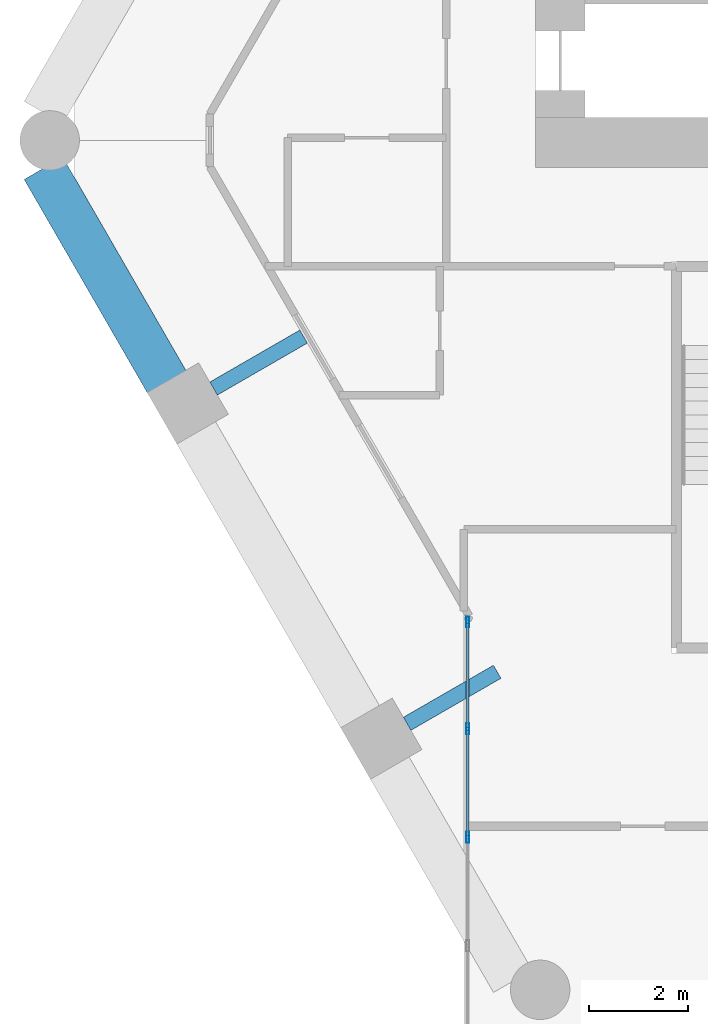
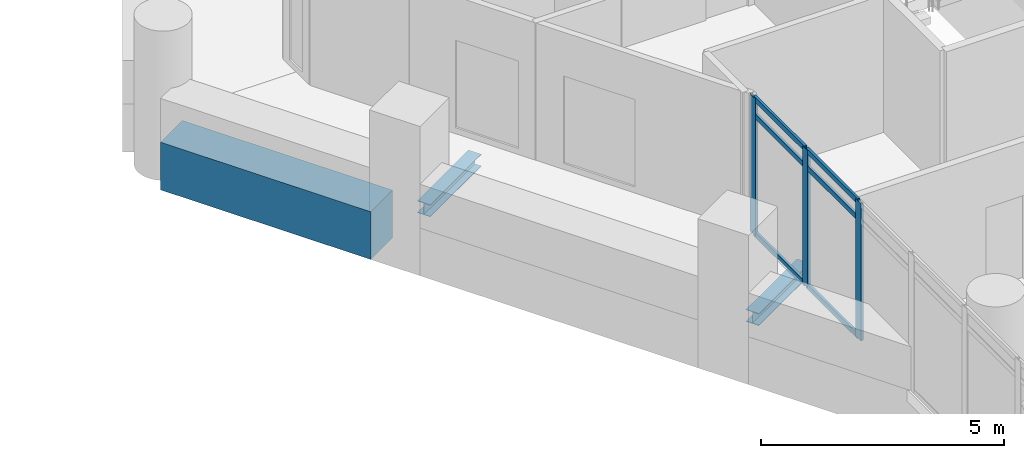
# One storey, part 9 of 28: 9 members, 3 beams, 1 element without a shape of its own.
"""IFC4 building model written with IfcOpenShell, lengths in metres."""

from ifc_helpers import new_model, si_unit, direction, frame, origin, origin_2d, place, context, subcontext, project, spatial, rectangle, hollow_rectangle, i_section, extrude, material, material_profile, profile_set, type_object, element, aggregate, save


model = new_model("IFC4")

# Units and contexts
model_context = context("Model", 3, precision=1e-05, world=origin(), true_north=direction((0.0, 1.0)))
body_context = subcontext(model_context, "Body", "Model", "MODEL_VIEW")
ifc_project = project(units=[si_unit("LENGTHUNIT", "METRE"), si_unit("AREAUNIT", "SQUARE_METRE"), si_unit("VOLUMEUNIT", "CUBIC_METRE"), si_unit("PLANEANGLEUNIT", "RADIAN"), si_unit("MASSUNIT", "GRAM", prefix="KILO")], contexts=[model_context])

# Site, building, storey
site_placement = place(None, origin())
site = spatial("IfcSite", under=ifc_project, at=site_placement, CompositionType="ELEMENT")
building_placement = place(site_placement, origin())
building = spatial("IfcBuilding", under=site, at=building_placement, Name="Ostrander Bayou Hotel Tower", CompositionType="ELEMENT")
storey_placement = place(building_placement, frame((0.0, 0.0, 142.25)))
storey = spatial("IfcBuildingStorey", under=building, at=storey_placement, Name="L35", CompositionType="ELEMENT", Elevation=142.25)

# Curtain wall, members
ifc_material_1 = material(Name="Aluminium and clear glass", Category="aluminium")
curtain_wall_type = type_object("IfcCurtainWallType", Name="CW-BAR glazed wall", PredefinedType="NOTDEFINED", material=ifc_material_1)
curtain_wall_placement = place(storey_placement, origin())
curtain_wall = element("IfcCurtainWall", 1, at=curtain_wall_placement, inside=storey, type_object=curtain_wall_type, Name="CW-BAR L35:SB3S:E", PredefinedType="NOTDEFINED")
ifc_material_2 = material(Name="Aluminium", Category="aluminium")
ifc_material_profile_1 = material_profile(ifc_material_2, hollow_rectangle(XDim=0.06005859375, YDim=0.219970703125, WallThickness=0.00390625, at=origin_2d()))
ifc_profile_set_1 = profile_set([ifc_material_profile_1], Name="Aluminium")
member_type_1 = type_object("IfcMemberType", Name="CW-BR mullion 60 x 220 mm", PredefinedType="MULLION", material=ifc_profile_set_1)
member_1_placement = place(storey_placement, frame((-13.3671875, -10.877197265625, 0.0), z_axis=(0.0, 0.0, 1.0), x_axis=(1.0, 0.0, 0.0)))
member_1 = element("IfcMember", 2, at=member_1_placement, type_object=member_type_1, Name="CW-BAR mullion 1", PredefinedType="MULLION", context=body_context, shape_type="SweptSolid", body=[
    extrude(hollow_rectangle(XDim=0.06005859375, YDim=0.219970703125, WallThickness=0.00390625, at=origin_2d()), origin(), (0.0, 0.0, 1.0), 3.449951171875),
])
member_2_placement = place(storey_placement, frame((-13.3671875, -13.03662109375, 0.0), z_axis=(0.0, 0.0, 1.0), x_axis=(1.0, 0.0, 0.0)))
member_2 = element("IfcMember", 3, at=member_2_placement, type_object=member_type_1, Name="CW-BAR mullion 2", PredefinedType="MULLION", context=body_context, shape_type="SweptSolid", body=[
    extrude(hollow_rectangle(XDim=0.06005859375, YDim=0.219970703125, WallThickness=0.00390625, at=origin_2d()), origin(), (0.0, 0.0, 1.0), 3.449951171875),
])
member_3_placement = place(storey_placement, frame((-13.3671875, -15.22607421875, 0.0), z_axis=(0.0, 0.0, 1.0), x_axis=(1.0, 0.0, 0.0)))
member_3 = element("IfcMember", 4, at=member_3_placement, type_object=member_type_1, Name="CW-BAR mullion 3", PredefinedType="MULLION", context=body_context, shape_type="SweptSolid", body=[
    extrude(hollow_rectangle(XDim=0.06005859375, YDim=0.219970703125, WallThickness=0.00390625, at=origin_2d()), origin(), (0.0, 0.0, 1.0), 3.449951171875),
])
ifc_material_3 = material(Name="Aluminium", Category="aluminium")
ifc_material_profile_2 = material_profile(ifc_material_3, hollow_rectangle(XDim=0.06005859375, YDim=0.1298828125, WallThickness=0.00390625, at=origin_2d()))
ifc_profile_set_2 = profile_set([ifc_material_profile_2], Name="Aluminium")
member_type_2 = type_object("IfcMemberType", Name="CW-BR transom 60 x 130 mm", PredefinedType="USERDEFINED", material=ifc_profile_set_2)
member_4_placement = place(storey_placement, frame((-13.3671875, -10.9072265625, 0.030029296875), z_axis=(0.0, -1.0, 0.0), x_axis=(1.0, 0.0, 0.0)))
member_4 = element("IfcMember", 5, at=member_4_placement, type_object=member_type_2, Name="CW-BAR transom 1.1", ObjectType="TRANSOM", PredefinedType="USERDEFINED", context=body_context, shape_type="SweptSolid", body=[
    extrude(hollow_rectangle(XDim=0.06005859375, YDim=0.1298828125, WallThickness=0.00390625, at=origin_2d()), origin(), (0.0, 0.0, 1.0), 2.099609375),
])
member_5_placement = place(storey_placement, frame((-13.3671875, -10.9072265625, 3.0), z_axis=(0.0, -1.0, 0.0), x_axis=(1.0, 0.0, 0.0)))
member_5 = element("IfcMember", 6, at=member_5_placement, type_object=member_type_2, Name="CW-BAR transom 1.2", ObjectType="TRANSOM", PredefinedType="USERDEFINED", context=body_context, shape_type="SweptSolid", body=[
    extrude(hollow_rectangle(XDim=0.06005859375, YDim=0.1298828125, WallThickness=0.00390625, at=origin_2d()), origin(), (0.0, 0.0, 1.0), 2.099609375),
])
member_6_placement = place(storey_placement, frame((-13.3671875, -10.9072265625, 3.419921875), z_axis=(0.0, -1.0, 0.0), x_axis=(1.0, 0.0, 0.0)))
member_6 = element("IfcMember", 7, at=member_6_placement, type_object=member_type_2, Name="CW-BAR transom 1.3", ObjectType="TRANSOM", PredefinedType="USERDEFINED", context=body_context, shape_type="SweptSolid", body=[
    extrude(hollow_rectangle(XDim=0.06005859375, YDim=0.1298828125, WallThickness=0.00390625, at=origin_2d()), origin(), (0.0, 0.0, 1.0), 2.099609375),
])
member_7_placement = place(storey_placement, frame((-13.3671875, -13.066650390625, 0.030029296875), z_axis=(0.0, -1.0, 0.0), x_axis=(1.0, 0.0, 0.0)))
member_7 = element("IfcMember", 8, at=member_7_placement, type_object=member_type_2, Name="CW-BAR transom 2.1", ObjectType="TRANSOM", PredefinedType="USERDEFINED", context=body_context, shape_type="SweptSolid", body=[
    extrude(hollow_rectangle(XDim=0.06005859375, YDim=0.1298828125, WallThickness=0.00390625, at=origin_2d()), origin(), (0.0, 0.0, 1.0), 2.12939453125),
])
member_8_placement = place(storey_placement, frame((-13.3671875, -13.066650390625, 3.0), z_axis=(0.0, -1.0, 0.0), x_axis=(1.0, 0.0, 0.0)))
member_8 = element("IfcMember", 9, at=member_8_placement, type_object=member_type_2, Name="CW-BAR transom 2.2", ObjectType="TRANSOM", PredefinedType="USERDEFINED", context=body_context, shape_type="SweptSolid", body=[
    extrude(hollow_rectangle(XDim=0.06005859375, YDim=0.1298828125, WallThickness=0.00390625, at=origin_2d()), origin(), (0.0, 0.0, 1.0), 2.12939453125),
])
member_9_placement = place(storey_placement, frame((-13.3671875, -13.066650390625, 3.419921875), z_axis=(0.0, -1.0, 0.0), x_axis=(1.0, 0.0, 0.0)))
member_9 = element("IfcMember", 10, at=member_9_placement, type_object=member_type_2, Name="CW-BAR transom 2.3", ObjectType="TRANSOM", PredefinedType="USERDEFINED", context=body_context, shape_type="SweptSolid", body=[
    extrude(hollow_rectangle(XDim=0.06005859375, YDim=0.1298828125, WallThickness=0.00390625, at=origin_2d()), origin(), (0.0, 0.0, 1.0), 2.12939453125),
])
aggregate(curtain_wall, [member_1, member_2, member_3, member_4, member_5, member_6, member_7, member_8, member_9])

# Beams
ifc_material_4 = material(Name="Steel ASTM A992", Category="steel")
ifc_material_profile_3 = material_profile(ifc_material_4, i_section(OverallWidth=0.3046875, OverallDepth=0.307861328125, WebThickness=0.010009765625, FlangeThickness=0.015380859375, at=origin_2d()))
ifc_profile_set_3 = profile_set([ifc_material_profile_3], Name="Steel ASTM A992")
beam_type_1 = type_object("IfcBeamType", Name="LB1 loggia bracket W12x65", PredefinedType="BEAM", material=ifc_profile_set_3)
for number, where, z_axis, x_axis, name in (
    (11, (-18.494384765625, -6.166748046875, -0.453857421875), (0.866009402589, 0.500027713859, 0.0), (-0.500027713859, 0.866009402589, 0.0), "LB1 L35 SW1"),
    (12, (-14.587646484375, -12.933349609375, -0.453857421875), (0.866009402589, 0.500027713859, 0.0), (-0.500027713859, 0.866009402589, 0.0), "LB1 L35 SW2"),
):
    element("IfcBeam", number, at=place(storey_placement, frame(where, z_axis=z_axis, x_axis=x_axis)), inside=storey, type_object=beam_type_1, Name=name, PredefinedType="BEAM", context=body_context, shape_type="SweptSolid", body=[
        extrude(i_section(OverallWidth=0.3046875, OverallDepth=0.307861328125, WebThickness=0.010009765625, FlangeThickness=0.015380859375, at=origin_2d()), origin(), (0.0, 0.0, 1.0), 2.10009765625),
    ])
ifc_material_5 = material(Name="Concrete f'c 70 MPa", Category="concrete")
ifc_material_profile_4 = material_profile(ifc_material_5, rectangle(XDim=0.89990234375, YDim=1.199951171875, at=origin_2d()))
ifc_profile_set_4 = profile_set([ifc_material_profile_4], Name="Concrete f'c 70 MPa")
beam_type_2 = type_object("IfcBeamType", Name="SP2 spandrel beam 900 x 1200 mm f'c 70 MPa", PredefinedType="SPANDREL", material=ifc_profile_set_4)
beam_placement = place(storey_placement, frame((-21.927734375, -1.72021484375, -0.60009765625), z_axis=(0.500011423449, -0.866018808352, 0.0), x_axis=(0.866018808352, 0.500011423449, 0.0)))
element("IfcBeam", 13, at=beam_placement, inside=storey, type_object=beam_type_2, Name="SP2 L35 SW-1", PredefinedType="SPANDREL", context=body_context, shape_type="SweptSolid", body=[
    extrude(rectangle(XDim=0.89990234375, YDim=1.199951171875, at=origin_2d()), origin(), (0.0, 0.0, 1.0), 4.99755859375),
])

save(model, "model.ifc")
